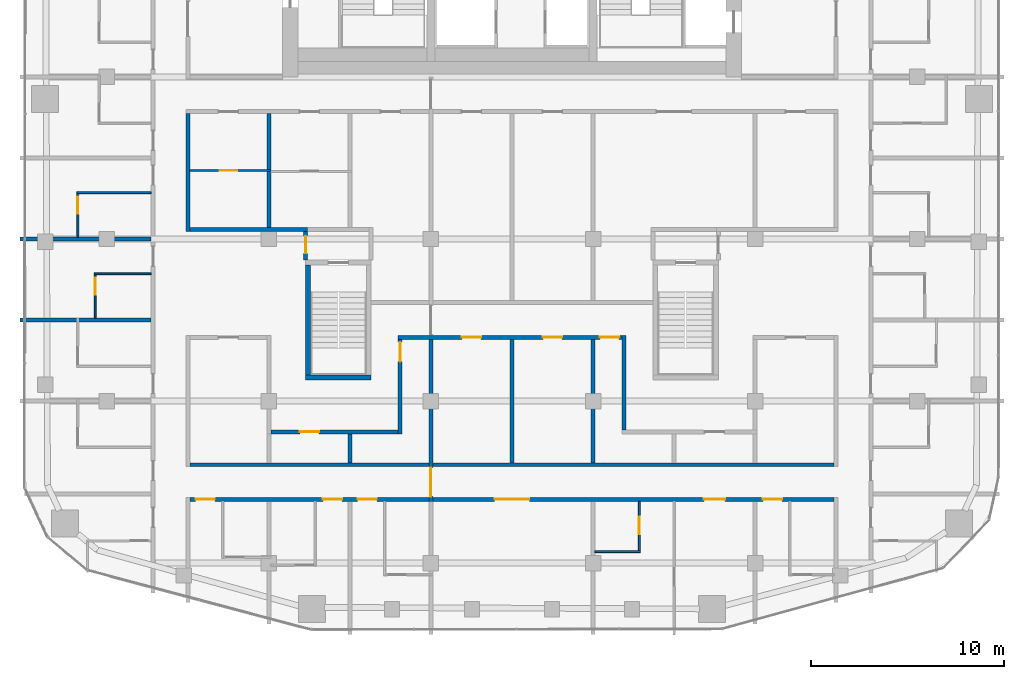
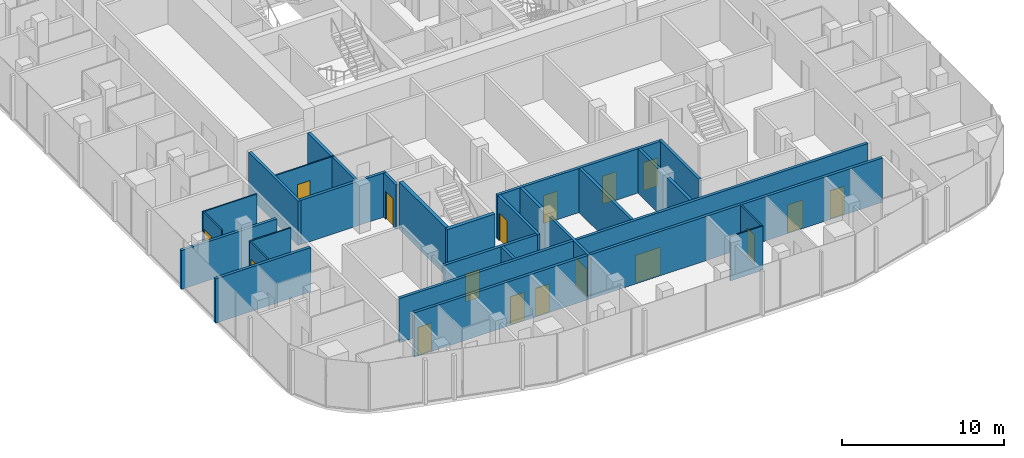
# One storey, part 14 of 22: 25 walls, 17 doors, 17 openings.
"""IFC4 building model written with IfcOpenShell, lengths in metres."""

import ifcopenshell
import ifcopenshell.guid

model = None  # the IFC model being written
_history = None  # IfcOwnerHistory: only IFC2X3 demands one
_inside = {}  # id of a spatial element -> (the spatial element, [elements in it])
_under = {}  # id of a project, library or spatial element -> (it, [spatial elements below it])
_declared = {}  # id of a project -> (the project, [libraries it declares])
_typed = {}  # id of a type object -> (the type object, [elements of that type])
_made_of = {}  # id of a material, layer set ... -> (it, [elements and type objects made of it])


def new_model(schema):
    """Start an empty IFC model of exactly this schema.

    Asked for "IFC4X3", IfcOpenShell would pick the latest addendum, in which some entities
    have other attributes; the version numbers below select the first issue.
    IFC2X3 requires an IfcOwnerHistory on every rooted entity: one is made here for all.
    """
    global model, _history
    if schema == "IFC4X3":
        model = ifcopenshell.file(schema_version=(4, 3, 0, 0))
    else:
        model = ifcopenshell.file(schema=schema)
    _inside.clear()
    _under.clear()
    _declared.clear()
    _typed.clear()
    _made_of.clear()
    _history = None
    if model.schema == "IFC2X3":
        org = make("IfcOrganization", Name="unknown")
        user = make(
            "IfcPersonAndOrganization",
            ThePerson=make("IfcPerson", FamilyName="unknown"),
            TheOrganization=org,
        )
        app = make(
            "IfcApplication",
            ApplicationDeveloper=org,
            Version="unknown",
            ApplicationFullName="unknown",
            ApplicationIdentifier="unknown",
        )
        _history = make(
            "IfcOwnerHistory",
            OwningUser=user,
            OwningApplication=app,
            ChangeAction="ADDED",
            CreationDate=0,
        )
    return model


def make(cls, **values):
    """One entity of the class cls with the attributes given. An attribute that is None is left unset."""
    return model.create_entity(
        cls, **{name: value for name, value in values.items() if value is not None}
    )


def rooted(cls, **values):
    """An entity with a GlobalId (a new one), such as an element, a storey or a relation."""
    return make(cls, GlobalId=ifcopenshell.guid.new(), OwnerHistory=_history, **values)


def si_unit(unit_type, name, prefix=None):
    """IfcSIUnit, for example si_unit("LENGTHUNIT", "METRE", prefix="MILLI")."""
    return make("IfcSIUnit", UnitType=unit_type, Prefix=prefix, Name=name)


def assignment(units):
    """IfcUnitAssignment: the units of a project."""
    return None if units is None else make("IfcUnitAssignment", Units=units)


def point(xyz):
    """IfcCartesianPoint."""
    return None if xyz is None else make("IfcCartesianPoint", Coordinates=xyz)


def direction(xyz):
    """IfcDirection."""
    return None if xyz is None else make("IfcDirection", DirectionRatios=xyz)


def frame(location, z_axis=None, x_axis=None):
    """IfcAxis2Placement3D, a coordinate frame: its origin and axes. An axis left out is left unset."""
    return make(
        "IfcAxis2Placement3D",
        Location=point(location),
        Axis=direction(z_axis),
        RefDirection=direction(x_axis),
    )


def frame_2d(location, x_axis=None):
    """IfcAxis2Placement2D, a coordinate frame in the plane: its origin and x axis."""
    return make(
        "IfcAxis2Placement2D", Location=point(location), RefDirection=direction(x_axis)
    )


def origin():
    """The frame at (0, 0, 0) with its axes left unset."""
    return frame((0.0, 0.0, 0.0))


def place(relative_to, where):
    """IfcLocalPlacement: puts the frame where relative to a parent placement (None: the world)."""
    return make(
        "IfcLocalPlacement", PlacementRelTo=relative_to, RelativePlacement=where
    )


def context(
    kind, dimensions, precision=None, world=None, true_north=None, identifier=None
):
    """IfcGeometricRepresentationContext, for example the 3D "Model" context."""
    return make(
        "IfcGeometricRepresentationContext",
        ContextIdentifier=identifier,
        ContextType=kind,
        CoordinateSpaceDimension=dimensions,
        Precision=precision,
        WorldCoordinateSystem=world,
        TrueNorth=true_north,
    )


def subcontext(parent, identifier, kind, view, scale=None):
    """IfcGeometricRepresentationSubContext, for example "Body" below "Model"."""
    return make(
        "IfcGeometricRepresentationSubContext",
        ContextIdentifier=identifier,
        ContextType=kind,
        ParentContext=parent,
        TargetScale=scale,
        TargetView=view,
    )


def project(units=None, contexts=None):
    """IfcProject with its units and contexts."""
    return rooted(
        "IfcProject",
        Name="project",
        RepresentationContexts=contexts,
        UnitsInContext=assignment(units),
    )


def spatial(cls, under=None, at=None, **own):
    """A site, building, storey or space (cls), placed at a placement, below another one or the project."""
    s = rooted(cls, ObjectPlacement=at, **own)
    if under is not None:
        _under.setdefault(under.id(), (under, []))[1].append(s)
    return s


def profile(cls, at=None, kind="AREA", **sizes):
    """A parametric profile (cls). Its sizes go by their IFC names, for example OverallWidth=200.0."""
    return make(cls, ProfileType=kind, Position=at, **sizes)


def rectangle(**sizes):
    """IfcRectangleProfileDef."""
    return profile("IfcRectangleProfileDef", **sizes)


def extrude(swept, where, along, depth):
    """IfcExtrudedAreaSolid: the profile swept, set in the frame where, extruded along a direction by depth."""
    return make(
        "IfcExtrudedAreaSolid",
        SweptArea=swept,
        Position=where,
        ExtrudedDirection=direction(along),
        Depth=depth,
    )


def shape(context_of_items, identifier, shape_type, items):
    """IfcShapeRepresentation: the items that make up one representation, for example the "Body"."""
    return make(
        "IfcShapeRepresentation",
        ContextOfItems=context_of_items,
        RepresentationIdentifier=identifier,
        RepresentationType=shape_type,
        Items=items,
    )


def material(Name=None, Category=None):
    """IfcMaterial."""
    return make("IfcMaterial", Name=Name, Category=Category)


def layer(
    of_material, thickness, ventilated=None, Name=None, Category=None, Priority=None
):
    """IfcMaterialLayer: one layer of a wall or slab, of a material (None: an air gap)."""
    return make(
        "IfcMaterialLayer",
        Material=of_material,
        LayerThickness=thickness,
        IsVentilated=ventilated,
        Name=Name,
        Category=Category,
        Priority=Priority,
    )


def layer_set(layers, Name=None):
    """IfcMaterialLayerSet."""
    return make("IfcMaterialLayerSet", MaterialLayers=layers, LayerSetName=Name)


def made_of(thing, what):
    """Note that an element or type object is made of a material, layer set ...; save() writes the relation."""
    if what is not None:
        _made_of.setdefault(what.id(), (what, []))[1].append(thing)
    return thing


def type_object(cls, material=None, **own):
    """A type object (cls), such as IfcWallType, which elements share."""
    return made_of(rooted(cls, **own), material)


def element(
    cls,
    number,
    at=None,
    inside=None,
    cuts=None,
    type_object=None,
    material=None,
    context=None,
    identifier="Body",
    shape_type=None,
    held_by="IfcProductDefinitionShape",
    body=None,
    shapes=None,
    **own,
):
    """One element of the class cls, such as IfcWall. Its Tag is "e" and its number.

    at: its placement. inside: the storey or other place that contains it. cuts: it is an
    opening in that element (IfcRelVoidsElement). A single representation is given by context,
    identifier, shape_type and body (its items); several are given by shapes. held_by: the class
    of the entity that holds the representations. save() writes the other relations.
    """
    e = rooted(cls, Tag="e%d" % number, ObjectPlacement=at, **own)
    if body is not None:
        shapes = [shape(context, identifier, shape_type, body)]
    if shapes is not None:
        e.Representation = make(held_by, Representations=shapes)
    if inside is not None:
        _inside.setdefault(inside.id(), (inside, []))[1].append(e)
    if cuts is not None:
        rooted(
            "IfcRelVoidsElement", RelatingBuildingElement=cuts, RelatedOpeningElement=e
        )
    if type_object is not None:
        _typed.setdefault(type_object.id(), (type_object, []))[1].append(e)
    return made_of(e, material)


def fill(opening, filler):
    """IfcRelFillsElement: the door or window that sits in an opening."""
    return rooted(
        "IfcRelFillsElement",
        RelatingOpeningElement=opening,
        RelatedBuildingElement=filler,
    )


def aggregate(whole, parts):
    """IfcRelAggregates: a whole, such as a stair, and the parts it consists of."""
    return rooted("IfcRelAggregates", RelatingObject=whole, RelatedObjects=parts)


def save(model, path):
    """Write the relations noted so far, then the file.

    IfcRelAggregates (storeys below a building ...), IfcRelContainedInSpatialStructure (elements
    in a storey), IfcRelDefinesByType, IfcRelAssociatesMaterial and IfcRelDeclares: one each for
    every whole, place, type object, material and project.
    """
    for whole, parts in _under.values():
        aggregate(whole, parts)
    for where, things in _inside.values():
        rooted(
            "IfcRelContainedInSpatialStructure",
            RelatedElements=things,
            RelatingStructure=where,
        )
    for kind, things in _typed.values():
        rooted("IfcRelDefinesByType", RelatedObjects=things, RelatingType=kind)
    for what, things in _made_of.values():
        rooted("IfcRelAssociatesMaterial", RelatedObjects=things, RelatingMaterial=what)
    for by, libraries in _declared.values():
        rooted("IfcRelDeclares", RelatingContext=by, RelatedDefinitions=libraries)
    model.write(path)


model = new_model("IFC4")

# Units and contexts
model_context = context("Model", 3, precision=1e-05, world=origin(), true_north=direction((0.0, 1.0)))
body_context = subcontext(model_context, "Body", "Model", "MODEL_VIEW")
ifc_project = project(units=[si_unit("LENGTHUNIT", "METRE"), si_unit("AREAUNIT", "SQUARE_METRE"), si_unit("VOLUMEUNIT", "CUBIC_METRE"), si_unit("PLANEANGLEUNIT", "RADIAN"), si_unit("MASSUNIT", "GRAM", prefix="KILO")], contexts=[model_context])

# Site, building, storey
site_placement = place(None, origin())
site = spatial("IfcSite", under=ifc_project, at=site_placement, CompositionType="ELEMENT")
building_placement = place(site_placement, origin())
building = spatial("IfcBuilding", under=site, at=building_placement, Name="Marenta Gate Hotel Tower", CompositionType="ELEMENT")
storey_placement = place(building_placement, frame((0.0, 0.0, 187.699951171875)))
storey = spatial("IfcBuildingStorey", under=building, at=storey_placement, Name="L42", CompositionType="ELEMENT", Elevation=187.699951171875)

# Wall, opening, door
ifc_material_1 = material(Name="Concrete blockwork", Category="masonry")
ifc_layer_1 = layer(ifc_material_1, 0.199951171875)
ifc_layer_set_1 = layer_set([ifc_layer_1], Name="Concrete blockwork")
wall_type_1 = type_object("IfcWallType", Name="Compartment wall 200 REI 180", PredefinedType="PARTITIONING", material=ifc_layer_set_1)
wall_1_placement = place(storey_placement, frame((-4.199951171875, -22.0, 0.0), z_axis=(0.0, 0.0, 1.0), x_axis=(0.0, 1.0, 0.0)))
wall_1 = element("IfcWall", 1, at=wall_1_placement, inside=storey, type_object=wall_type_1, Name="L42-PTN-W080", PredefinedType="PARTITIONING", context=body_context, shape_type="SweptSolid", body=[
    extrude(rectangle(XDim=8.39990234375, YDim=0.199951171875, at=frame_2d((4.199951171875, 0.0))), origin(), (0.0, 0.0, 1.0), 3.340087890625),
])
opening_1_placement = place(wall_1_placement, frame((0.25, 0.0, 0.0)))
opening_1 = element("IfcOpeningElement", 2, at=opening_1_placement, cuts=wall_1, Name="Opening G15-FD4", PredefinedType="OPENING", context=body_context, shape_type="SweptSolid", body=[
    extrude(rectangle(XDim=1.5, YDim=2.10009765625, at=frame_2d((0.75, 1.050048828125))), frame((0.0, 0.10009765625, 0.0), z_axis=(0.0, -1.0, 0.0), x_axis=(1.0, 0.0, 0.0)), (0.0, 0.0, 1.0), 0.199951171875),
])
ifc_material_2 = material(Name="Hollow steel door set", Category="steel")
door_type_1 = type_object("IfcDoorType", Name="Compartment fire door 1500x2100 EI 60", OperationType="DOUBLE_DOOR_DOUBLE_SWING", PredefinedType="DOOR", material=ifc_material_2)
door_1_placement = place(opening_1_placement, origin())
door_1 = element("IfcDoor", 3, at=door_1_placement, inside=storey, type_object=door_type_1, Name="L42-PD-FD04", OperationType="DOUBLE_DOOR_DOUBLE_SWING", OverallHeight=2.10009765625, OverallWidth=1.5, PredefinedType="DOOR", context=body_context, shape_type="SweptSolid", body=[
    extrude(rectangle(XDim=1.5, YDim=2.10009765625, at=frame_2d((0.75, 1.050048828125))), frame((0.0, 0.02490234375, 0.0), z_axis=(0.0, -1.0, 0.0), x_axis=(1.0, 0.0, 0.0)), (0.0, 0.0, 1.0), 0.050048828125),
])
fill(opening_1, door_1)

# Walls
ifc_material_3 = material(Name="Concrete C40", Category="concrete")
ifc_layer_2 = layer(ifc_material_3, 0.25)
ifc_layer_set_2 = layer_set([ifc_layer_2], Name="Concrete C40")
wall_type_2 = type_object("IfcWallType", Name="Remote stair enclosure wall 250 REI 180", PredefinedType="SHEAR", material=ifc_layer_set_2)
wall_2_placement = place(storey_placement, frame((-10.699951171875, -15.574951171875, 0.10009765625), z_axis=(0.0, 0.0, 1.0), x_axis=(1.0, 0.0, 0.0)))
element("IfcWall", 4, at=wall_2_placement, inside=storey, type_object=wall_type_2, Name="L42-RS-Z3-1-W1", PredefinedType="SHEAR", context=body_context, shape_type="SweptSolid", body=[
    extrude(rectangle(XDim=3.39990234375, YDim=0.25, at=frame_2d((1.699951171875, 0.0))), origin(), (0.0, 0.0, 1.0), 3.599853515625),
])
wall_3_placement = place(storey_placement, frame((-10.574951171875, -15.449951171875, 0.10009765625), z_axis=(0.0, 0.0, 1.0), x_axis=(0.0, 1.0, 0.0)))
element("IfcWall", 5, at=wall_3_placement, inside=storey, type_object=wall_type_2, Name="L42-RS-Z3-1-W3", PredefinedType="SHEAR", context=body_context, shape_type="SweptSolid", body=[
    extrude(rectangle(XDim=5.699951171875, YDim=0.25, at=frame_2d((2.85009765625, 0.0))), origin(), (0.0, 0.0, 1.0), 3.599853515625),
])
ifc_material_4 = material(Name="Concrete blockwork", Category="masonry")
ifc_layer_3 = layer(ifc_material_4, 0.199951171875)
ifc_layer_set_3 = layer_set([ifc_layer_3], Name="Concrete blockwork")
wall_type_3 = type_object("IfcWallType", Name="Room corridor wall 200 EI 120", PredefinedType="PARTITIONING", material=ifc_layer_set_3)
wall_4_placement = place(storey_placement, frame((-16.699951171875, -7.89990234375, 0.0), z_axis=(0.0, 0.0, 1.0), x_axis=(1.0, 0.0, 0.0)))
element("IfcWall", 6, at=wall_4_placement, inside=storey, type_object=wall_type_3, Name="L42-PTN-W053", PredefinedType="PARTITIONING", context=body_context, shape_type="SweptSolid", body=[
    extrude(rectangle(XDim=6.099853515625, YDim=0.199951171875, at=frame_2d((3.0498046875, 0.0))), origin(), (0.0, 0.0, 1.0), 3.340087890625),
])

# Wall, openings, doors
ifc_material_5 = material(Name="Gypsum board on steel stud", Category="steel")
ifc_layer_4 = layer(ifc_material_5, 0.199951171875)
ifc_layer_set_4 = layer_set([ifc_layer_4], Name="Gypsum board on steel stud")
wall_type_4 = type_object("IfcWallType", Name="Room corridor wall 200 EI 60", PredefinedType="PARTITIONING", material=ifc_layer_set_4)
wall_5_placement = place(storey_placement, frame((-16.699951171875, -21.89990234375, 0.0), z_axis=(0.0, 0.0, 1.0), x_axis=(1.0, 0.0, 0.0)))
wall_5 = element("IfcWall", 7, at=wall_5_placement, inside=storey, type_object=wall_type_4, Name="L42-PTN-W013", PredefinedType="PARTITIONING", context=body_context, shape_type="SweptSolid", body=[
    extrude(rectangle(XDim=33.39990234375, YDim=0.199951171875, at=frame_2d((16.699951171875, 0.0))), origin(), (0.0, 0.0, 1.0), 3.340087890625),
])
opening_2_placement = place(wall_5_placement, frame((0.300048828125, 0.0, 0.0)))
opening_2 = element("IfcOpeningElement", 8, at=opening_2_placement, cuts=wall_5, Name="Opening G15-42", PredefinedType="OPENING", context=body_context, shape_type="SweptSolid", body=[
    extrude(rectangle(XDim=1.0, YDim=2.10009765625, at=frame_2d((0.5, 1.050048828125))), frame((0.0, 0.10009765625, 0.0), z_axis=(0.0, -1.0, 0.0), x_axis=(1.0, 0.0, 0.0)), (0.0, 0.0, 1.0), 0.199951171875),
])
opening_3_placement = place(wall_5_placement, frame((6.89990234375, 0.0, 0.0)))
opening_3 = element("IfcOpeningElement", 9, at=opening_3_placement, cuts=wall_5, Name="Opening G15-44", PredefinedType="OPENING", context=body_context, shape_type="SweptSolid", body=[
    extrude(rectangle(XDim=1.0, YDim=2.10009765625, at=frame_2d((0.5, 1.050048828125))), frame((0.0, 0.10009765625, 0.0), z_axis=(0.0, -1.0, 0.0), x_axis=(1.0, 0.0, 0.0)), (0.0, 0.0, 1.0), 0.199951171875),
])
opening_4_placement = place(wall_5_placement, frame((8.699951171875, 0.0, 0.0)))
opening_4 = element("IfcOpeningElement", 10, at=opening_4_placement, cuts=wall_5, Name="Opening G15-46", PredefinedType="OPENING", context=body_context, shape_type="SweptSolid", body=[
    extrude(rectangle(XDim=1.0, YDim=2.10009765625, at=frame_2d((0.5, 1.050048828125))), frame((0.0, 0.10009765625, 0.0), z_axis=(0.0, -1.0, 0.0), x_axis=(1.0, 0.0, 0.0)), (0.0, 0.0, 1.0), 0.199951171875),
])
opening_5_placement = place(wall_5_placement, frame((15.800048828125, 0.0, 0.0)))
opening_5 = element("IfcOpeningElement", 11, at=opening_5_placement, cuts=wall_5, Name="Opening G15-48", PredefinedType="OPENING", context=body_context, shape_type="SweptSolid", body=[
    extrude(rectangle(XDim=1.800048828125, YDim=2.10009765625, at=frame_2d((0.89990234375, 1.050048828125))), frame((0.0, 0.10009765625, 0.0), z_axis=(0.0, -1.0, 0.0), x_axis=(1.0, 0.0, 0.0)), (0.0, 0.0, 1.0), 0.199951171875),
])
opening_6_placement = place(wall_5_placement, frame((26.64990234375, 0.0, 0.0)))
opening_6 = element("IfcOpeningElement", 12, at=opening_6_placement, cuts=wall_5, Name="Opening G15-49", PredefinedType="OPENING", context=body_context, shape_type="SweptSolid", body=[
    extrude(rectangle(XDim=1.10009765625, YDim=2.10009765625, at=frame_2d((0.550048828125, 1.050048828125))), frame((0.0, 0.10009765625, 0.0), z_axis=(0.0, -1.0, 0.0), x_axis=(1.0, 0.0, 0.0)), (0.0, 0.0, 1.0), 0.199951171875),
])
opening_7_placement = place(wall_5_placement, frame((29.699951171875, 0.0, 0.0)))
opening_7 = element("IfcOpeningElement", 13, at=opening_7_placement, cuts=wall_5, Name="Opening G15-52", PredefinedType="OPENING", context=body_context, shape_type="SweptSolid", body=[
    extrude(rectangle(XDim=1.0, YDim=2.10009765625, at=frame_2d((0.5, 1.050048828125))), frame((0.0, 0.10009765625, 0.0), z_axis=(0.0, -1.0, 0.0), x_axis=(1.0, 0.0, 0.0)), (0.0, 0.0, 1.0), 0.199951171875),
])
ifc_material_6 = material(Name="Timber door leaf", Category="wood")
door_type_2 = type_object("IfcDoorType", Name="Guest room door 1000x2100 EI 30", OperationType="NOTDEFINED", PredefinedType="DOOR", material=ifc_material_6)
door_2_placement = place(opening_2_placement, origin())
door_2 = element("IfcDoor", 14, at=door_2_placement, inside=storey, type_object=door_type_2, Name="L42-PD-D042", OperationType="SINGLE_SWING_RIGHT", OverallHeight=2.10009765625, OverallWidth=1.0, PredefinedType="DOOR", context=body_context, shape_type="SweptSolid", body=[
    extrude(rectangle(XDim=1.0, YDim=2.10009765625, at=frame_2d((0.5, 1.050048828125))), frame((0.0, 0.02490234375, 0.0), z_axis=(0.0, -1.0, 0.0), x_axis=(1.0, 0.0, 0.0)), (0.0, 0.0, 1.0), 0.050048828125),
])
fill(opening_2, door_2)
door_3_placement = place(opening_3_placement, origin())
door_3 = element("IfcDoor", 15, at=door_3_placement, inside=storey, type_object=door_type_2, Name="L42-PD-D044", OperationType="SINGLE_SWING_RIGHT", OverallHeight=2.10009765625, OverallWidth=1.0, PredefinedType="DOOR", context=body_context, shape_type="SweptSolid", body=[
    extrude(rectangle(XDim=1.0, YDim=2.10009765625, at=frame_2d((0.5, 1.050048828125))), frame((0.0, 0.02490234375, 0.0), z_axis=(0.0, -1.0, 0.0), x_axis=(1.0, 0.0, 0.0)), (0.0, 0.0, 1.0), 0.050048828125),
])
fill(opening_3, door_3)
door_4_placement = place(opening_4_placement, origin())
door_4 = element("IfcDoor", 16, at=door_4_placement, inside=storey, type_object=door_type_2, Name="L42-PD-D046", OperationType="SINGLE_SWING_RIGHT", OverallHeight=2.10009765625, OverallWidth=1.0, PredefinedType="DOOR", context=body_context, shape_type="SweptSolid", body=[
    extrude(rectangle(XDim=1.0, YDim=2.10009765625, at=frame_2d((0.5, 1.050048828125))), frame((0.0, 0.02490234375, 0.0), z_axis=(0.0, -1.0, 0.0), x_axis=(1.0, 0.0, 0.0)), (0.0, 0.0, 1.0), 0.050048828125),
])
fill(opening_4, door_4)
door_5_placement = place(opening_7_placement, origin())
door_5 = element("IfcDoor", 17, at=door_5_placement, inside=storey, type_object=door_type_2, Name="L42-PD-D052", OperationType="SINGLE_SWING_RIGHT", OverallHeight=2.10009765625, OverallWidth=1.0, PredefinedType="DOOR", context=body_context, shape_type="SweptSolid", body=[
    extrude(rectangle(XDim=1.0, YDim=2.10009765625, at=frame_2d((0.5, 1.050048828125))), frame((0.0, 0.02490234375, 0.0), z_axis=(0.0, -1.0, 0.0), x_axis=(1.0, 0.0, 0.0)), (0.0, 0.0, 1.0), 0.050048828125),
])
fill(opening_7, door_5)
ifc_material_7 = material(Name="Timber door leaf", Category="wood")
door_type_3 = type_object("IfcDoorType", Name="Guest room door 1100x2100 EI 30", OperationType="NOTDEFINED", PredefinedType="DOOR", material=ifc_material_7)
door_6_placement = place(opening_6_placement, origin())
door_6 = element("IfcDoor", 18, at=door_6_placement, inside=storey, type_object=door_type_3, Name="L42-PD-D049", OperationType="SINGLE_SWING_LEFT", OverallHeight=2.10009765625, OverallWidth=1.10009765625, PredefinedType="DOOR", context=body_context, shape_type="SweptSolid", body=[
    extrude(rectangle(XDim=1.10009765625, YDim=2.10009765625, at=frame_2d((0.550048828125, 1.050048828125))), frame((0.0, 0.02490234375, 0.0), z_axis=(0.0, -1.0, 0.0), x_axis=(1.0, 0.0, 0.0)), (0.0, 0.0, 1.0), 0.050048828125),
])
fill(opening_6, door_6)
ifc_material_8 = material(Name="Timber door leaf", Category="wood")
door_type_4 = type_object("IfcDoorType", Name="Room amenity door 1800x2100 EI 30", OperationType="DOUBLE_DOOR_SINGLE_SWING", PredefinedType="DOOR", material=ifc_material_8)
door_7_placement = place(opening_5_placement, origin())
door_7 = element("IfcDoor", 19, at=door_7_placement, inside=storey, type_object=door_type_4, Name="L42-PD-D048", OperationType="DOUBLE_DOOR_SINGLE_SWING", OverallHeight=2.10009765625, OverallWidth=1.800048828125, PredefinedType="DOOR", context=body_context, shape_type="SweptSolid", body=[
    extrude(rectangle(XDim=1.800048828125, YDim=2.10009765625, at=frame_2d((0.89990234375, 1.050048828125))), frame((0.0, 0.02490234375, 0.0), z_axis=(0.0, -1.0, 0.0), x_axis=(1.0, 0.0, 0.0)), (0.0, 0.0, 1.0), 0.050048828125),
])
fill(opening_5, door_7)

# Wall
wall_6_placement = place(storey_placement, frame((-16.699951171875, -20.10009765625, 0.0), z_axis=(0.0, 0.0, 1.0), x_axis=(1.0, 0.0, 0.0)))
element("IfcWall", 20, at=wall_6_placement, inside=storey, type_object=wall_type_4, Name="L42-PTN-W020", PredefinedType="PARTITIONING", context=body_context, shape_type="SweptSolid", body=[
    extrude(rectangle(XDim=33.39990234375, YDim=0.199951171875, at=frame_2d((16.699951171875, 0.0))), origin(), (0.0, 0.0, 1.0), 3.340087890625),
])

# Wall, opening, door
wall_7_placement = place(storey_placement, frame((-12.5, -18.39990234375, 0.0), z_axis=(0.0, 0.0, 1.0), x_axis=(1.0, 0.0, 0.0)))
wall_7 = element("IfcWall", 21, at=wall_7_placement, inside=storey, type_object=wall_type_4, Name="L42-PTN-W024", PredefinedType="PARTITIONING", context=body_context, shape_type="SweptSolid", body=[
    extrude(rectangle(XDim=6.60009765625, YDim=0.199951171875, at=frame_2d((3.300048828125, 0.0))), origin(), (0.0, 0.0, 1.0), 3.340087890625),
])
opening_8_placement = place(wall_7_placement, frame((1.5, 0.0, 0.0)))
opening_8 = element("IfcOpeningElement", 22, at=opening_8_placement, cuts=wall_7, Name="Opening G15-11", PredefinedType="OPENING", context=body_context, shape_type="SweptSolid", body=[
    extrude(rectangle(XDim=1.0, YDim=2.10009765625, at=frame_2d((0.5, 1.050048828125))), frame((0.0, 0.10009765625, 0.0), z_axis=(0.0, -1.0, 0.0), x_axis=(1.0, 0.0, 0.0)), (0.0, 0.0, 1.0), 0.199951171875),
])
ifc_material_9 = material(Name="Timber door leaf", Category="wood")
door_type_5 = type_object("IfcDoorType", Name="Room amenity door 1000x2100 EI 30", OperationType="NOTDEFINED", PredefinedType="DOOR", material=ifc_material_9)
door_8_placement = place(opening_8_placement, origin())
door_8 = element("IfcDoor", 23, at=door_8_placement, inside=storey, type_object=door_type_5, Name="L42-PD-D011", OperationType="SINGLE_SWING_RIGHT", OverallHeight=2.10009765625, OverallWidth=1.0, PredefinedType="DOOR", context=body_context, shape_type="SweptSolid", body=[
    extrude(rectangle(XDim=1.0, YDim=2.10009765625, at=frame_2d((0.5, 1.050048828125))), frame((0.0, 0.02490234375, 0.0), z_axis=(0.0, -1.0, 0.0), x_axis=(1.0, 0.0, 0.0)), (0.0, 0.0, 1.0), 0.050048828125),
])
fill(opening_8, door_8)

# Wall, openings, doors
wall_8_placement = place(storey_placement, frame((-5.89990234375, -13.5, 0.0), z_axis=(0.0, 0.0, 1.0), x_axis=(1.0, 0.0, 0.0)))
wall_8 = element("IfcWall", 24, at=wall_8_placement, inside=storey, type_object=wall_type_4, Name="L42-PTN-W036", PredefinedType="PARTITIONING", context=body_context, shape_type="SweptSolid", body=[
    extrude(rectangle(XDim=11.599853515625, YDim=0.199951171875, at=frame_2d((5.7998046875, 0.0))), origin(), (0.0, 0.0, 1.0), 3.340087890625),
])
opening_9_placement = place(wall_8_placement, frame((3.300048828125, 0.0, 0.0)))
opening_9 = element("IfcOpeningElement", 25, at=opening_9_placement, cuts=wall_8, Name="Opening G15-13", PredefinedType="OPENING", context=body_context, shape_type="SweptSolid", body=[
    extrude(rectangle(XDim=1.0, YDim=2.10009765625, at=frame_2d((0.5, 1.050048828125))), frame((0.0, 0.10009765625, 0.0), z_axis=(0.0, -1.0, 0.0), x_axis=(1.0, 0.0, 0.0)), (0.0, 0.0, 1.0), 0.199951171875),
])
opening_10_placement = place(wall_8_placement, frame((7.5, 0.0, 0.0)))
opening_10 = element("IfcOpeningElement", 26, at=opening_10_placement, cuts=wall_8, Name="Opening G15-14", PredefinedType="OPENING", context=body_context, shape_type="SweptSolid", body=[
    extrude(rectangle(XDim=1.0, YDim=2.10009765625, at=frame_2d((0.5, 1.050048828125))), frame((0.0, 0.10009765625, 0.0), z_axis=(0.0, -1.0, 0.0), x_axis=(1.0, 0.0, 0.0)), (0.0, 0.0, 1.0), 0.199951171875),
])
opening_11_placement = place(wall_8_placement, frame((10.449951171875, 0.0, 0.0)))
opening_11 = element("IfcOpeningElement", 27, at=opening_11_placement, cuts=wall_8, Name="Opening G15-15", PredefinedType="OPENING", context=body_context, shape_type="SweptSolid", body=[
    extrude(rectangle(XDim=1.0, YDim=2.10009765625, at=frame_2d((0.5, 1.050048828125))), frame((0.0, 0.10009765625, 0.0), z_axis=(0.0, -1.0, 0.0), x_axis=(1.0, 0.0, 0.0)), (0.0, 0.0, 1.0), 0.199951171875),
])
door_9_placement = place(opening_9_placement, origin())
door_9 = element("IfcDoor", 28, at=door_9_placement, inside=storey, type_object=door_type_5, Name="L42-PD-D013", OperationType="SINGLE_SWING_LEFT", OverallHeight=2.10009765625, OverallWidth=1.0, PredefinedType="DOOR", context=body_context, shape_type="SweptSolid", body=[
    extrude(rectangle(XDim=1.0, YDim=2.10009765625, at=frame_2d((0.5, 1.050048828125))), frame((0.0, 0.02490234375, 0.0), z_axis=(0.0, -1.0, 0.0), x_axis=(1.0, 0.0, 0.0)), (0.0, 0.0, 1.0), 0.050048828125),
])
fill(opening_9, door_9)
door_10_placement = place(opening_10_placement, origin())
door_10 = element("IfcDoor", 29, at=door_10_placement, inside=storey, type_object=door_type_5, Name="L42-PD-D014", OperationType="SINGLE_SWING_RIGHT", OverallHeight=2.10009765625, OverallWidth=1.0, PredefinedType="DOOR", context=body_context, shape_type="SweptSolid", body=[
    extrude(rectangle(XDim=1.0, YDim=2.10009765625, at=frame_2d((0.5, 1.050048828125))), frame((0.0, 0.02490234375, 0.0), z_axis=(0.0, -1.0, 0.0), x_axis=(1.0, 0.0, 0.0)), (0.0, 0.0, 1.0), 0.050048828125),
])
fill(opening_10, door_10)
door_11_placement = place(opening_11_placement, origin())
door_11 = element("IfcDoor", 30, at=door_11_placement, inside=storey, type_object=door_type_5, Name="L42-PD-D015", OperationType="SINGLE_SWING_LEFT", OverallHeight=2.10009765625, OverallWidth=1.0, PredefinedType="DOOR", context=body_context, shape_type="SweptSolid", body=[
    extrude(rectangle(XDim=1.0, YDim=2.10009765625, at=frame_2d((0.5, 1.050048828125))), frame((0.0, 0.02490234375, 0.0), z_axis=(0.0, -1.0, 0.0), x_axis=(1.0, 0.0, 0.0)), (0.0, 0.0, 1.0), 0.050048828125),
])
fill(opening_11, door_11)

# Wall
wall_9_placement = place(storey_placement, frame((5.800048828125, -18.300048828125, 0.0), z_axis=(0.0, 0.0, 1.0), x_axis=(0.0, 1.0, 0.0)))
element("IfcWall", 31, at=wall_9_placement, inside=storey, type_object=wall_type_4, Name="L42-PTN-W061", PredefinedType="PARTITIONING", context=body_context, shape_type="SweptSolid", body=[
    extrude(rectangle(XDim=4.900146484375, YDim=0.199951171875, at=frame_2d((2.4501953125, 0.0))), origin(), (0.0, 0.0, 1.0), 3.340087890625),
])

# Wall, opening, door
wall_10_placement = place(storey_placement, frame((-5.800048828125, -18.5, 0.0), z_axis=(0.0, 0.0, 1.0), x_axis=(0.0, 1.0, 0.0)))
wall_10 = element("IfcWall", 32, at=wall_10_placement, inside=storey, type_object=wall_type_4, Name="L42-PTN-W085", PredefinedType="PARTITIONING", context=body_context, shape_type="SweptSolid", body=[
    extrude(rectangle(XDim=4.89990234375, YDim=0.199951171875, at=frame_2d((2.449951171875, 0.0))), origin(), (0.0, 0.0, 1.0), 3.340087890625),
])
opening_12_placement = place(wall_10_placement, frame((3.75, 0.0, 0.0)))
opening_12 = element("IfcOpeningElement", 33, at=opening_12_placement, cuts=wall_10, Name="Opening G15-12", PredefinedType="OPENING", context=body_context, shape_type="SweptSolid", body=[
    extrude(rectangle(XDim=1.0, YDim=2.10009765625, at=frame_2d((0.5, 1.050048828125))), frame((0.0, 0.10009765625, 0.0), z_axis=(0.0, -1.0, 0.0), x_axis=(1.0, 0.0, 0.0)), (0.0, 0.0, 1.0), 0.199951171875),
])
door_12_placement = place(opening_12_placement, origin())
door_12 = element("IfcDoor", 34, at=door_12_placement, inside=storey, type_object=door_type_5, Name="L42-PD-D012", OperationType="SINGLE_SWING_RIGHT", OverallHeight=2.10009765625, OverallWidth=1.0, PredefinedType="DOOR", context=body_context, shape_type="SweptSolid", body=[
    extrude(rectangle(XDim=1.0, YDim=2.10009765625, at=frame_2d((0.5, 1.050048828125))), frame((0.0, 0.02490234375, 0.0), z_axis=(0.0, -1.0, 0.0), x_axis=(1.0, 0.0, 0.0)), (0.0, 0.0, 1.0), 0.050048828125),
])
fill(opening_12, door_12)

# Wall
wall_11_placement = place(storey_placement, frame((-16.800048828125, -8.0, 0.0), z_axis=(0.0, 0.0, 1.0), x_axis=(0.0, 1.0, 0.0)))
element("IfcWall", 35, at=wall_11_placement, inside=storey, type_object=wall_type_4, Name="L42-PTN-W108", PredefinedType="PARTITIONING", context=body_context, shape_type="SweptSolid", body=[
    extrude(rectangle(XDim=6.10009765625, YDim=0.199951171875, at=frame_2d((3.050048828125, 0.0))), origin(), (0.0, 0.0, 1.0), 3.340087890625),
])

# Wall, opening, door
ifc_material_10 = material(Name="Concrete blockwork", Category="masonry")
ifc_layer_5 = layer(ifc_material_10, 0.199951171875)
ifc_layer_set_5 = layer_set([ifc_layer_5], Name="Concrete blockwork")
wall_type_5 = type_object("IfcWallType", Name="Room corridor wall 200 REI 180", PredefinedType="PARTITIONING", material=ifc_layer_set_5)
wall_12_placement = place(storey_placement, frame((-10.699951171875, -9.5, 0.0), z_axis=(0.0, 0.0, 1.0), x_axis=(0.0, 1.0, 0.0)))
wall_12 = element("IfcWall", 36, at=wall_12_placement, inside=storey, type_object=wall_type_5, Name="L42-PTN-W096", PredefinedType="PARTITIONING", context=body_context, shape_type="SweptSolid", body=[
    extrude(rectangle(XDim=1.5, YDim=0.199951171875, at=frame_2d((0.75, 0.0))), origin(), (0.0, 0.0, 1.0), 3.340087890625),
])
opening_13_placement = place(wall_12_placement, frame((0.35009765625, 0.0, 0.0)))
opening_13 = element("IfcOpeningElement", 37, at=opening_13_placement, cuts=wall_12, Name="Opening G15-76", PredefinedType="OPENING", context=body_context, shape_type="SweptSolid", body=[
    extrude(rectangle(XDim=0.89990234375, YDim=2.10009765625, at=frame_2d((0.449951171875, 1.050048828125))), frame((0.0, 0.10009765625, 0.0), z_axis=(0.0, -1.0, 0.0), x_axis=(1.0, 0.0, 0.0)), (0.0, 0.0, 1.0), 0.199951171875),
])
ifc_material_11 = material(Name="Hollow steel door set", Category="steel")
door_type_6 = type_object("IfcDoorType", Name="Stair vestibule door 900x2100 EI 60", OperationType="NOTDEFINED", PredefinedType="DOOR", material=ifc_material_11)
door_13_placement = place(opening_13_placement, origin())
door_13 = element("IfcDoor", 38, at=door_13_placement, inside=storey, type_object=door_type_6, Name="L42-PD-D076", OperationType="SINGLE_SWING_LEFT", OverallHeight=2.10009765625, OverallWidth=0.89990234375, PredefinedType="DOOR", context=body_context, shape_type="SweptSolid", body=[
    extrude(rectangle(XDim=0.89990234375, YDim=2.10009765625, at=frame_2d((0.449951171875, 1.050048828125))), frame((0.0, 0.02490234375, 0.0), z_axis=(0.0, -1.0, 0.0), x_axis=(1.0, 0.0, 0.0)), (0.0, 0.0, 1.0), 0.050048828125),
])
fill(opening_13, door_13)

# Walls
ifc_material_12 = material(Name="Gypsum board on steel stud", Category="steel")
ifc_layer_6 = layer(ifc_material_12, 0.10009765625)
ifc_layer_set_6 = layer_set([ifc_layer_6], Name="Gypsum board on steel stud")
wall_type_6 = type_object("IfcWallType", Name="Room partition 100", PredefinedType="PARTITIONING", material=ifc_layer_set_6)
wall_13_placement = place(storey_placement, frame((4.300048828125, -24.60009765625, 0.0), z_axis=(0.0, 0.0, 1.0), x_axis=(1.0, 0.0, 0.0)))
element("IfcWall", 39, at=wall_13_placement, inside=storey, type_object=wall_type_6, Name="L42-PTN-W005", PredefinedType="PARTITIONING", context=body_context, shape_type="SweptSolid", body=[
    extrude(rectangle(XDim=2.349853515625, YDim=0.10009765625, at=frame_2d((1.1748046875, 0.0))), origin(), (0.0, 0.0, 1.0), 3.340087890625),
])
wall_14_placement = place(storey_placement, frame((-21.64990234375, -10.199951171875, 0.0), z_axis=(0.0, 0.0, 1.0), x_axis=(1.0, 0.0, 0.0)))
element("IfcWall", 40, at=wall_14_placement, inside=storey, type_object=wall_type_6, Name="L42-PTN-W047", PredefinedType="PARTITIONING", context=body_context, shape_type="SweptSolid", body=[
    extrude(rectangle(XDim=2.949951171875, YDim=0.10009765625, at=frame_2d((1.47509765625, 0.0))), origin(), (0.0, 0.0, 1.0), 3.340087890625),
])

# Wall, opening, door
wall_15_placement = place(storey_placement, frame((6.60009765625, -24.550048828125, 0.0), z_axis=(0.0, 0.0, 1.0), x_axis=(0.0, 1.0, 0.0)))
wall_15 = element("IfcWall", 41, at=wall_15_placement, inside=storey, type_object=wall_type_6, Name="L42-PTN-W058", PredefinedType="PARTITIONING", context=body_context, shape_type="SweptSolid", body=[
    extrude(rectangle(XDim=2.550048828125, YDim=0.10009765625, at=frame_2d((1.27490234375, 0.0))), origin(), (0.0, 0.0, 1.0), 3.340087890625),
])
opening_14_placement = place(wall_15_placement, frame((0.85009765625, 0.0, 0.0)))
opening_14 = element("IfcOpeningElement", 42, at=opening_14_placement, cuts=wall_15, Name="Opening G15-51", PredefinedType="OPENING", context=body_context, shape_type="SweptSolid", body=[
    extrude(rectangle(XDim=0.89990234375, YDim=2.10009765625, at=frame_2d((0.449951171875, 1.050048828125))), frame((0.0, 0.050048828125, 0.0), z_axis=(0.0, -1.0, 0.0), x_axis=(1.0, 0.0, 0.0)), (0.0, 0.0, 1.0), 0.10009765625),
])
ifc_material_13 = material(Name="Timber door leaf", Category="wood")
door_type_7 = type_object("IfcDoorType", Name="Guest bathroom door 900x2100", OperationType="NOTDEFINED", PredefinedType="DOOR", material=ifc_material_13)
door_14_placement = place(opening_14_placement, origin())
door_14 = element("IfcDoor", 43, at=door_14_placement, inside=storey, type_object=door_type_7, Name="L42-PD-D051", OperationType="SINGLE_SWING_RIGHT", OverallHeight=2.10009765625, OverallWidth=0.89990234375, PredefinedType="DOOR", context=body_context, shape_type="SweptSolid", body=[
    extrude(rectangle(XDim=0.89990234375, YDim=2.10009765625, at=frame_2d((0.449951171875, 1.050048828125))), frame((0.0, 0.02490234375, 0.0), z_axis=(0.0, -1.0, 0.0), x_axis=(1.0, 0.0, 0.0)), (0.0, 0.0, 1.0), 0.050048828125),
])
fill(opening_14, door_14)

# Wall
wall_16_placement = place(storey_placement, frame((-22.550048828125, -6.0, 0.0), z_axis=(0.0, 0.0, 1.0), x_axis=(1.0, 0.0, 0.0)))
element("IfcWall", 44, at=wall_16_placement, inside=storey, type_object=wall_type_6, Name="L42-PTN-W059", PredefinedType="PARTITIONING", context=body_context, shape_type="SweptSolid", body=[
    extrude(rectangle(XDim=3.85009765625, YDim=0.10009765625, at=frame_2d((1.925048828125, 0.0))), origin(), (0.0, 0.0, 1.0), 3.340087890625),
])

# Wall, opening, door
wall_17_placement = place(storey_placement, frame((-16.699951171875, -4.85009765625, 0.0), z_axis=(0.0, 0.0, 1.0), x_axis=(1.0, 0.0, 0.0)))
wall_17 = element("IfcWall", 45, at=wall_17_placement, inside=storey, type_object=wall_type_6, Name="L42-PTN-W063", PredefinedType="PARTITIONING", context=body_context, shape_type="SweptSolid", body=[
    extrude(rectangle(XDim=4.199951171875, YDim=0.10009765625, at=frame_2d((2.10009765625, 0.0))), origin(), (0.0, 0.0, 1.0), 3.340087890625),
])
opening_15_placement = place(wall_17_placement, frame((1.550048828125, 0.0, 0.0)))
opening_15 = element("IfcOpeningElement", 46, at=opening_15_placement, cuts=wall_17, Name="Opening G15-02", PredefinedType="OPENING", context=body_context, shape_type="SweptSolid", body=[
    extrude(rectangle(XDim=0.89990234375, YDim=2.10009765625, at=frame_2d((0.449951171875, 1.050048828125))), frame((0.0, 0.050048828125, 0.0), z_axis=(0.0, -1.0, 0.0), x_axis=(1.0, 0.0, 0.0)), (0.0, 0.0, 1.0), 0.10009765625),
])
ifc_material_14 = material(Name="Timber door leaf", Category="wood")
door_type_8 = type_object("IfcDoorType", Name="Room inner door 900x2100", OperationType="NOTDEFINED", PredefinedType="DOOR", material=ifc_material_14)
door_15_placement = place(opening_15_placement, origin())
door_15 = element("IfcDoor", 47, at=door_15_placement, inside=storey, type_object=door_type_8, Name="L42-PD-D002", OperationType="SINGLE_SWING_RIGHT", OverallHeight=2.10009765625, OverallWidth=0.89990234375, PredefinedType="DOOR", context=body_context, shape_type="SweptSolid", body=[
    extrude(rectangle(XDim=0.89990234375, YDim=2.10009765625, at=frame_2d((0.449951171875, 1.050048828125))), frame((0.0, 0.02490234375, 0.0), z_axis=(0.0, -1.0, 0.0), x_axis=(1.0, 0.0, 0.0)), (0.0, 0.0, 1.0), 0.050048828125),
])
fill(opening_15, door_15)

wall_18_placement = place(storey_placement, frame((-21.60009765625, -12.5, 0.0), z_axis=(0.0, 0.0, 1.0), x_axis=(0.0, 1.0, 0.0)))
wall_18 = element("IfcWall", 48, at=wall_18_placement, inside=storey, type_object=wall_type_6, Name="L42-PTN-W119", PredefinedType="PARTITIONING", context=body_context, shape_type="SweptSolid", body=[
    extrude(rectangle(XDim=2.25, YDim=0.10009765625, at=frame_2d((1.125, 0.0))), origin(), (0.0, 0.0, 1.0), 3.340087890625),
])
opening_16_placement = place(wall_18_placement, frame((1.199951171875, 0.0, 0.0)))
opening_16 = element("IfcOpeningElement", 49, at=opening_16_placement, cuts=wall_18, Name="Opening G15-61", PredefinedType="OPENING", context=body_context, shape_type="SweptSolid", body=[
    extrude(rectangle(XDim=0.89990234375, YDim=2.10009765625, at=frame_2d((0.449951171875, 1.050048828125))), frame((0.0, 0.050048828125, 0.0), z_axis=(0.0, -1.0, 0.0), x_axis=(1.0, 0.0, 0.0)), (0.0, 0.0, 1.0), 0.10009765625),
])
door_16_placement = place(opening_16_placement, origin())
door_16 = element("IfcDoor", 50, at=door_16_placement, inside=storey, type_object=door_type_7, Name="L42-PD-D061", OperationType="SINGLE_SWING_LEFT", OverallHeight=2.10009765625, OverallWidth=0.89990234375, PredefinedType="DOOR", context=body_context, shape_type="SweptSolid", body=[
    extrude(rectangle(XDim=0.89990234375, YDim=2.10009765625, at=frame_2d((0.449951171875, 1.050048828125))), frame((0.0, 0.02490234375, 0.0), z_axis=(0.0, -1.0, 0.0), x_axis=(1.0, 0.0, 0.0)), (0.0, 0.0, 1.0), 0.050048828125),
])
fill(opening_16, door_16)

wall_19_placement = place(storey_placement, frame((-22.5, -8.300048828125, 0.0), z_axis=(0.0, 0.0, 1.0), x_axis=(0.0, 1.0, 0.0)))
wall_19 = element("IfcWall", 51, at=wall_19_placement, inside=storey, type_object=wall_type_6, Name="L42-PTN-W125", PredefinedType="PARTITIONING", context=body_context, shape_type="SweptSolid", body=[
    extrude(rectangle(XDim=2.25, YDim=0.10009765625, at=frame_2d((1.125, 0.0))), origin(), (0.0, 0.0, 1.0), 3.340087890625),
])
opening_17_placement = place(wall_19_placement, frame((1.199951171875, 0.0, 0.0)))
opening_17 = element("IfcOpeningElement", 52, at=opening_17_placement, cuts=wall_19, Name="Opening G15-63", PredefinedType="OPENING", context=body_context, shape_type="SweptSolid", body=[
    extrude(rectangle(XDim=0.89990234375, YDim=2.10009765625, at=frame_2d((0.449951171875, 1.050048828125))), frame((0.0, 0.050048828125, 0.0), z_axis=(0.0, -1.0, 0.0), x_axis=(1.0, 0.0, 0.0)), (0.0, 0.0, 1.0), 0.10009765625),
])
door_17_placement = place(opening_17_placement, origin())
door_17 = element("IfcDoor", 53, at=door_17_placement, inside=storey, type_object=door_type_7, Name="L42-PD-D063", OperationType="SINGLE_SWING_LEFT", OverallHeight=2.10009765625, OverallWidth=0.89990234375, PredefinedType="DOOR", context=body_context, shape_type="SweptSolid", body=[
    extrude(rectangle(XDim=0.89990234375, YDim=2.10009765625, at=frame_2d((0.449951171875, 1.050048828125))), frame((0.0, 0.02490234375, 0.0), z_axis=(0.0, -1.0, 0.0), x_axis=(1.0, 0.0, 0.0)), (0.0, 0.0, 1.0), 0.050048828125),
])
fill(opening_17, door_17)

# Walls
ifc_material_15 = material(Name="Concrete blockwork", Category="masonry")
ifc_layer_7 = layer(ifc_material_15, 0.199951171875)
ifc_layer_set_7 = layer_set([ifc_layer_7], Name="Concrete blockwork")
wall_type_7 = type_object("IfcWallType", Name="Room party wall 200 EI 120", PredefinedType="PARTITIONING", material=ifc_layer_set_7)
wall_20_placement = place(storey_placement, frame((-12.60009765625, -7.800048828125, 0.0), z_axis=(0.0, 0.0, 1.0), x_axis=(0.0, 1.0, 0.0)))
element("IfcWall", 54, at=wall_20_placement, inside=storey, type_object=wall_type_7, Name="L42-PTN-W100", PredefinedType="PARTITIONING", context=body_context, shape_type="SweptSolid", body=[
    extrude(rectangle(XDim=5.900146484375, YDim=0.199951171875, at=frame_2d((2.9501953125, 0.0))), origin(), (0.0, 0.0, 1.0), 3.340087890625),
])
ifc_material_16 = material(Name="Gypsum board on steel stud", Category="steel")
ifc_layer_8 = layer(ifc_material_16, 0.199951171875)
ifc_layer_set_8 = layer_set([ifc_layer_8], Name="Gypsum board on steel stud")
wall_type_8 = type_object("IfcWallType", Name="Room party wall 200 EI 60", PredefinedType="PARTITIONING", material=ifc_layer_set_8)
wall_21_placement = place(storey_placement, frame((-25.5, -12.60009765625, 0.0), z_axis=(0.0, 0.0, 1.0), x_axis=(1.0, 0.0, 0.0)))
element("IfcWall", 55, at=wall_21_placement, inside=storey, type_object=wall_type_8, Name="L42-PTN-W043", PredefinedType="PARTITIONING", context=body_context, shape_type="SweptSolid", body=[
    extrude(rectangle(XDim=6.800048828125, YDim=0.199951171875, at=frame_2d((3.39990234375, 0.0))), origin(), (0.0, 0.0, 1.0), 3.340087890625),
])
wall_22_placement = place(storey_placement, frame((-25.5, -8.39990234375, 0.0), z_axis=(0.0, 0.0, 1.0), x_axis=(1.0, 0.0, 0.0)))
element("IfcWall", 56, at=wall_22_placement, inside=storey, type_object=wall_type_8, Name="L42-PTN-W051", PredefinedType="PARTITIONING", context=body_context, shape_type="SweptSolid", body=[
    extrude(rectangle(XDim=6.800048828125, YDim=0.199951171875, at=frame_2d((3.39990234375, 0.0))), origin(), (0.0, 0.0, 1.0), 2.93994140625),
])
for number, where, z_axis, x_axis, name in (
    (57, (4.199951171875, -20.0, 0.0), (0.0, 0.0, 1.0), (0.0, 1.0, 0.0), "L42-PTN-W065"),
    (58, (0.0, -20.0, 0.0), (0.0, 0.0, 1.0), (0.0, 1.0, 0.0), "L42-PTN-W073"),
):
    element("IfcWall", number, at=place(storey_placement, frame(where, z_axis=z_axis, x_axis=x_axis)), inside=storey, type_object=wall_type_8, Name=name, PredefinedType="PARTITIONING", context=body_context, shape_type="SweptSolid", body=[
        extrude(rectangle(XDim=6.39990234375, YDim=0.199951171875, at=frame_2d((3.199951171875, 0.0))), origin(), (0.0, 0.0, 1.0), 3.340087890625),
    ])
wall_23_placement = place(storey_placement, frame((-8.39990234375, -20.0, 0.0), z_axis=(0.0, 0.0, 1.0), x_axis=(0.0, 1.0, 0.0)))
element("IfcWall", 59, at=wall_23_placement, inside=storey, type_object=wall_type_8, Name="L42-PTN-W091", PredefinedType="PARTITIONING", context=body_context, shape_type="SweptSolid", body=[
    extrude(rectangle(XDim=1.5, YDim=0.199951171875, at=frame_2d((0.75, 0.0))), origin(), (0.0, 0.0, 1.0), 3.340087890625),
])

save(model, "model.ifc")
